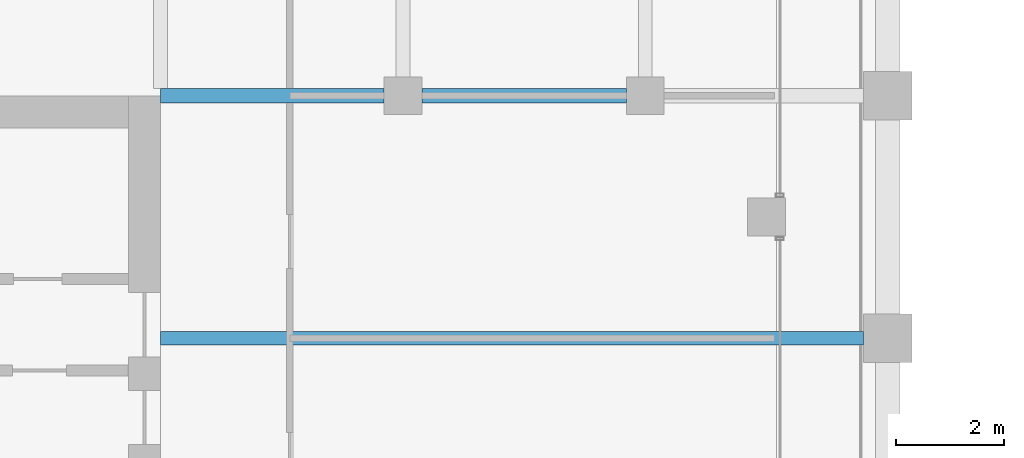
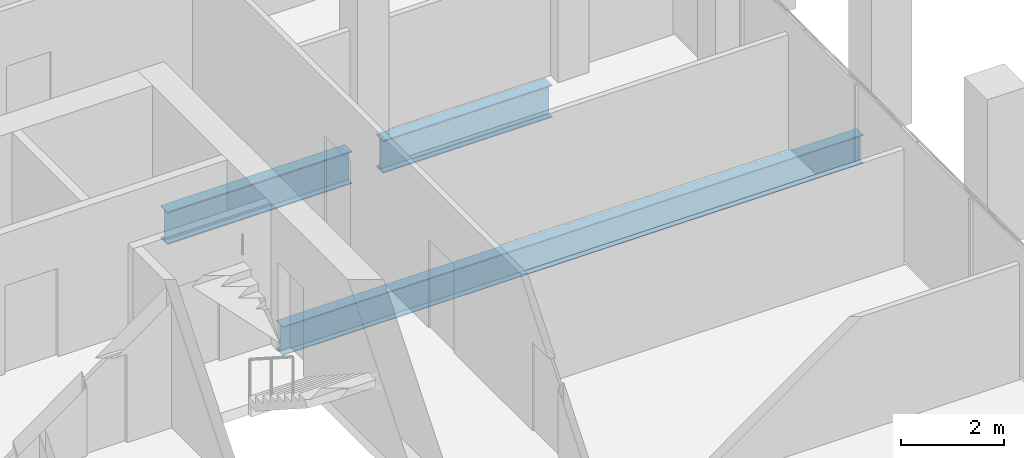
# One storey, part 18 of 40: 3 beams.
"""IFC4 building model written with IfcOpenShell, lengths in metres."""

import ifcopenshell
import ifcopenshell.guid

model = None  # the IFC model being written
_history = None  # IfcOwnerHistory: only IFC2X3 demands one
_inside = {}  # id of a spatial element -> (the spatial element, [elements in it])
_under = {}  # id of a project, library or spatial element -> (it, [spatial elements below it])
_declared = {}  # id of a project -> (the project, [libraries it declares])
_typed = {}  # id of a type object -> (the type object, [elements of that type])
_made_of = {}  # id of a material, layer set ... -> (it, [elements and type objects made of it])


def new_model(schema):
    """Start an empty IFC model of exactly this schema.

    Asked for "IFC4X3", IfcOpenShell would pick the latest addendum, in which some entities
    have other attributes; the version numbers below select the first issue.
    IFC2X3 requires an IfcOwnerHistory on every rooted entity: one is made here for all.
    """
    global model, _history
    if schema == "IFC4X3":
        model = ifcopenshell.file(schema_version=(4, 3, 0, 0))
    else:
        model = ifcopenshell.file(schema=schema)
    _inside.clear()
    _under.clear()
    _declared.clear()
    _typed.clear()
    _made_of.clear()
    _history = None
    if model.schema == "IFC2X3":
        org = make("IfcOrganization", Name="unknown")
        user = make(
            "IfcPersonAndOrganization",
            ThePerson=make("IfcPerson", FamilyName="unknown"),
            TheOrganization=org,
        )
        app = make(
            "IfcApplication",
            ApplicationDeveloper=org,
            Version="unknown",
            ApplicationFullName="unknown",
            ApplicationIdentifier="unknown",
        )
        _history = make(
            "IfcOwnerHistory",
            OwningUser=user,
            OwningApplication=app,
            ChangeAction="ADDED",
            CreationDate=0,
        )
    return model


def make(cls, **values):
    """One entity of the class cls with the attributes given. An attribute that is None is left unset."""
    return model.create_entity(
        cls, **{name: value for name, value in values.items() if value is not None}
    )


def rooted(cls, **values):
    """An entity with a GlobalId (a new one), such as an element, a storey or a relation."""
    return make(cls, GlobalId=ifcopenshell.guid.new(), OwnerHistory=_history, **values)


def si_unit(unit_type, name, prefix=None):
    """IfcSIUnit, for example si_unit("LENGTHUNIT", "METRE", prefix="MILLI")."""
    return make("IfcSIUnit", UnitType=unit_type, Prefix=prefix, Name=name)


def assignment(units):
    """IfcUnitAssignment: the units of a project."""
    return None if units is None else make("IfcUnitAssignment", Units=units)


def point(xyz):
    """IfcCartesianPoint."""
    return None if xyz is None else make("IfcCartesianPoint", Coordinates=xyz)


def direction(xyz):
    """IfcDirection."""
    return None if xyz is None else make("IfcDirection", DirectionRatios=xyz)


def frame(location, z_axis=None, x_axis=None):
    """IfcAxis2Placement3D, a coordinate frame: its origin and axes. An axis left out is left unset."""
    return make(
        "IfcAxis2Placement3D",
        Location=point(location),
        Axis=direction(z_axis),
        RefDirection=direction(x_axis),
    )


def frame_2d(location, x_axis=None):
    """IfcAxis2Placement2D, a coordinate frame in the plane: its origin and x axis."""
    return make(
        "IfcAxis2Placement2D", Location=point(location), RefDirection=direction(x_axis)
    )


def origin():
    """The frame at (0, 0, 0) with its axes left unset."""
    return frame((0.0, 0.0, 0.0))


def origin_2d():
    """The frame at (0, 0) in the plane with its x axis left unset."""
    return frame_2d((0.0, 0.0))


def place(relative_to, where):
    """IfcLocalPlacement: puts the frame where relative to a parent placement (None: the world)."""
    return make(
        "IfcLocalPlacement", PlacementRelTo=relative_to, RelativePlacement=where
    )


def context(
    kind, dimensions, precision=None, world=None, true_north=None, identifier=None
):
    """IfcGeometricRepresentationContext, for example the 3D "Model" context."""
    return make(
        "IfcGeometricRepresentationContext",
        ContextIdentifier=identifier,
        ContextType=kind,
        CoordinateSpaceDimension=dimensions,
        Precision=precision,
        WorldCoordinateSystem=world,
        TrueNorth=true_north,
    )


def subcontext(parent, identifier, kind, view, scale=None):
    """IfcGeometricRepresentationSubContext, for example "Body" below "Model"."""
    return make(
        "IfcGeometricRepresentationSubContext",
        ContextIdentifier=identifier,
        ContextType=kind,
        ParentContext=parent,
        TargetScale=scale,
        TargetView=view,
    )


def project(units=None, contexts=None):
    """IfcProject with its units and contexts."""
    return rooted(
        "IfcProject",
        Name="project",
        RepresentationContexts=contexts,
        UnitsInContext=assignment(units),
    )


def spatial(cls, under=None, at=None, **own):
    """A site, building, storey or space (cls), placed at a placement, below another one or the project."""
    s = rooted(cls, ObjectPlacement=at, **own)
    if under is not None:
        _under.setdefault(under.id(), (under, []))[1].append(s)
    return s


def profile(cls, at=None, kind="AREA", **sizes):
    """A parametric profile (cls). Its sizes go by their IFC names, for example OverallWidth=200.0."""
    return make(cls, ProfileType=kind, Position=at, **sizes)


def i_section(**sizes):
    """IfcIShapeProfileDef."""
    return profile("IfcIShapeProfileDef", **sizes)


def extrude(swept, where, along, depth):
    """IfcExtrudedAreaSolid: the profile swept, set in the frame where, extruded along a direction by depth."""
    return make(
        "IfcExtrudedAreaSolid",
        SweptArea=swept,
        Position=where,
        ExtrudedDirection=direction(along),
        Depth=depth,
    )


def shape(context_of_items, identifier, shape_type, items):
    """IfcShapeRepresentation: the items that make up one representation, for example the "Body"."""
    return make(
        "IfcShapeRepresentation",
        ContextOfItems=context_of_items,
        RepresentationIdentifier=identifier,
        RepresentationType=shape_type,
        Items=items,
    )


def material(Name=None, Category=None):
    """IfcMaterial."""
    return make("IfcMaterial", Name=Name, Category=Category)


def material_profile(
    of_material, cross_section, Name=None, Category=None, Priority=None
):
    """IfcMaterialProfile: a cross section and its material."""
    return make(
        "IfcMaterialProfile",
        Name=Name,
        Material=of_material,
        Profile=cross_section,
        Priority=Priority,
        Category=Category,
    )


def profile_set(profiles, Name=None, composite=None):
    """IfcMaterialProfileSet."""
    return make(
        "IfcMaterialProfileSet",
        Name=Name,
        MaterialProfiles=profiles,
        CompositeProfile=composite,
    )


def made_of(thing, what):
    """Note that an element or type object is made of a material, layer set ...; save() writes the relation."""
    if what is not None:
        _made_of.setdefault(what.id(), (what, []))[1].append(thing)
    return thing


def type_object(cls, material=None, **own):
    """A type object (cls), such as IfcWallType, which elements share."""
    return made_of(rooted(cls, **own), material)


def element(
    cls,
    number,
    at=None,
    inside=None,
    cuts=None,
    type_object=None,
    material=None,
    context=None,
    identifier="Body",
    shape_type=None,
    held_by="IfcProductDefinitionShape",
    body=None,
    shapes=None,
    **own,
):
    """One element of the class cls, such as IfcWall. Its Tag is "e" and its number.

    at: its placement. inside: the storey or other place that contains it. cuts: it is an
    opening in that element (IfcRelVoidsElement). A single representation is given by context,
    identifier, shape_type and body (its items); several are given by shapes. held_by: the class
    of the entity that holds the representations. save() writes the other relations.
    """
    e = rooted(cls, Tag="e%d" % number, ObjectPlacement=at, **own)
    if body is not None:
        shapes = [shape(context, identifier, shape_type, body)]
    if shapes is not None:
        e.Representation = make(held_by, Representations=shapes)
    if inside is not None:
        _inside.setdefault(inside.id(), (inside, []))[1].append(e)
    if cuts is not None:
        rooted(
            "IfcRelVoidsElement", RelatingBuildingElement=cuts, RelatedOpeningElement=e
        )
    if type_object is not None:
        _typed.setdefault(type_object.id(), (type_object, []))[1].append(e)
    return made_of(e, material)


def aggregate(whole, parts):
    """IfcRelAggregates: a whole, such as a stair, and the parts it consists of."""
    return rooted("IfcRelAggregates", RelatingObject=whole, RelatedObjects=parts)


def save(model, path):
    """Write the relations noted so far, then the file.

    IfcRelAggregates (storeys below a building ...), IfcRelContainedInSpatialStructure (elements
    in a storey), IfcRelDefinesByType, IfcRelAssociatesMaterial and IfcRelDeclares: one each for
    every whole, place, type object, material and project.
    """
    for whole, parts in _under.values():
        aggregate(whole, parts)
    for where, things in _inside.values():
        rooted(
            "IfcRelContainedInSpatialStructure",
            RelatedElements=things,
            RelatingStructure=where,
        )
    for kind, things in _typed.values():
        rooted("IfcRelDefinesByType", RelatedObjects=things, RelatingType=kind)
    for what, things in _made_of.values():
        rooted("IfcRelAssociatesMaterial", RelatedObjects=things, RelatingMaterial=what)
    for by, libraries in _declared.values():
        rooted("IfcRelDeclares", RelatingContext=by, RelatedDefinitions=libraries)
    model.write(path)


model = new_model("IFC4")

# Units and contexts
model_context = context("Model", 3, precision=1e-05, world=origin(), true_north=direction((0.0, 1.0)))
body_context = subcontext(model_context, "Body", "Model", "MODEL_VIEW")
ifc_project = project(units=[si_unit("LENGTHUNIT", "METRE"), si_unit("AREAUNIT", "SQUARE_METRE"), si_unit("VOLUMEUNIT", "CUBIC_METRE"), si_unit("PLANEANGLEUNIT", "RADIAN"), si_unit("MASSUNIT", "GRAM", prefix="KILO")], contexts=[model_context])

# Site, building, storey
site_placement = place(None, origin())
site = spatial("IfcSite", under=ifc_project, at=site_placement, CompositionType="ELEMENT")
building_placement = place(site_placement, origin())
building = spatial("IfcBuilding", under=site, at=building_placement, Name="Altepetl Exchange Towers", CompositionType="ELEMENT")
storey_placement = place(building_placement, frame((0.0, 0.0, 179.800048828125)))
storey = spatial("IfcBuildingStorey", under=building, at=storey_placement, Name="L45", CompositionType="ELEMENT", Elevation=179.800048828125)

# Beams
ifc_material = material(Name="Steel S355", Category="steel")
ifc_material_profile_1 = material_profile(ifc_material, i_section(OverallWidth=0.25390625, OverallDepth=0.68408203125, WebThickness=0.012451171875, FlangeThickness=0.018798828125, at=origin_2d()), Name="W27X94")
ifc_profile_set_1 = profile_set([ifc_material_profile_1], Name="Steel S355")
beam_type_1 = type_object("IfcBeamType", Name="Floor beam W27X94", PredefinedType="BEAM", material=ifc_profile_set_1)
beam_1_placement = place(storey_placement, frame((58.5, 54.0, -0.491943359375), z_axis=(1.0, 0.0, 0.0), x_axis=(0.0, 1.0, 0.0)))
element("IfcBeam", 1, at=beam_1_placement, inside=storey, type_object=beam_type_1, Name="bm:A:L45:011", PredefinedType="BEAM", context=body_context, shape_type="SweptSolid", body=[
    extrude(i_section(OverallWidth=0.25390625, OverallDepth=0.68408203125, WebThickness=0.012451171875, FlangeThickness=0.018798828125, at=origin_2d()), origin(), (0.0, 0.0, 1.0), 13.050048828125),
])
ifc_material_profile_2 = material_profile(ifc_material, i_section(OverallWidth=0.26806640625, OverallDepth=0.77392578125, WebThickness=0.015380859375, FlangeThickness=0.025390625, at=origin_2d()), Name="W30X132")
ifc_profile_set_2 = profile_set([ifc_material_profile_2], Name="Steel S355")
beam_type_2 = type_object("IfcBeamType", Name="Girder W30X132", PredefinedType="BEAM", material=ifc_profile_set_2)
beam_2_placement = place(storey_placement, frame((58.5, 58.5, -0.537109375), z_axis=(1.0, 0.0, 0.0), x_axis=(0.0, 1.0, 0.0)))
element("IfcBeam", 2, at=beam_2_placement, inside=storey, type_object=beam_type_2, Name="gd:A:L45:000", PredefinedType="BEAM", context=body_context, shape_type="SweptSolid", body=[
    extrude(i_section(OverallWidth=0.26806640625, OverallDepth=0.77392578125, WebThickness=0.015380859375, FlangeThickness=0.025390625, at=origin_2d()), origin(), (0.0, 0.0, 1.0), 4.14990234375),
])
beam_3_placement = place(storey_placement, frame((63.35009765625, 58.5, -0.537109375), z_axis=(1.0, 0.0, 0.0), x_axis=(0.0, 1.0, 0.0)))
element("IfcBeam", 3, at=beam_3_placement, inside=storey, type_object=beam_type_2, Name="gd:A:L45:001", PredefinedType="BEAM", context=body_context, shape_type="SweptSolid", body=[
    extrude(i_section(OverallWidth=0.26806640625, OverallDepth=0.77392578125, WebThickness=0.015380859375, FlangeThickness=0.025390625, at=origin_2d()), origin(), (0.0, 0.0, 1.0), 3.7998046875),
])

save(model, "model.ifc")
